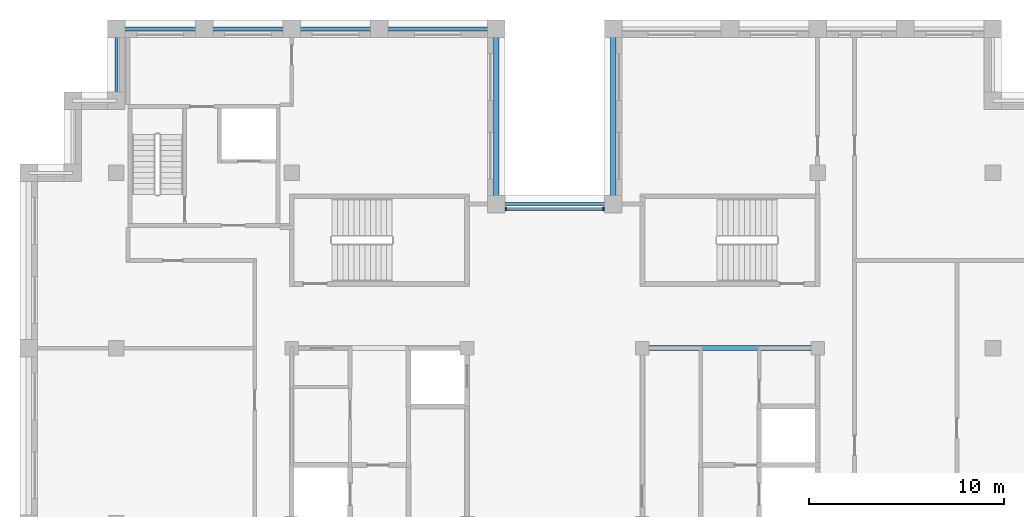
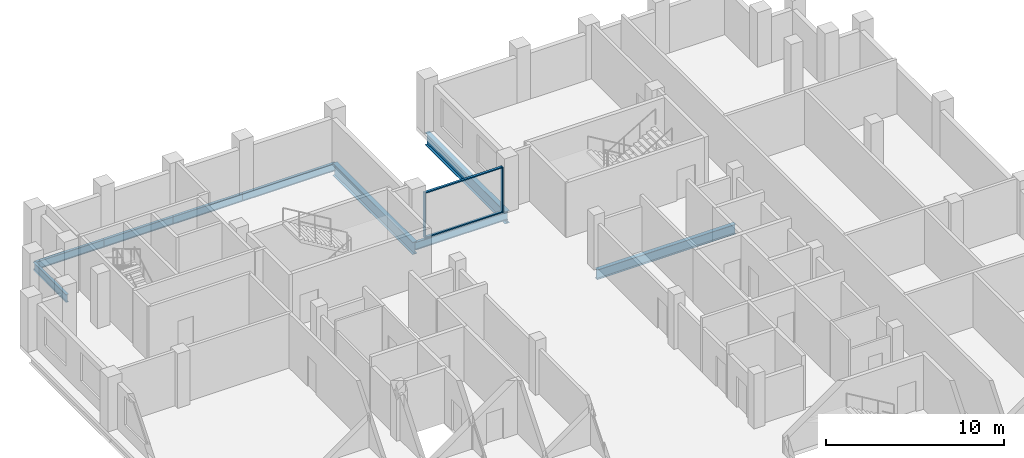
# One storey, part 4 of 13: 9 beams, 4 members, 1 element without a shape of its own.
"""IFC4 building model written with IfcOpenShell, lengths in metres."""

from ifc_helpers import new_model, si_unit, direction, frame, origin, origin_2d, place, context, subcontext, project, spatial, rectangle, i_section, extrude, material, layer, layer_set, material_profile, profile_set, type_object, element, aggregate, save


model = new_model("IFC4")

# Units and contexts
model_context = context("Model", 3, precision=1e-05, world=origin(), true_north=direction((0.0, 1.0)))
body_context = subcontext(model_context, "Body", "Model", "MODEL_VIEW")
ifc_project = project(units=[si_unit("LENGTHUNIT", "METRE"), si_unit("AREAUNIT", "SQUARE_METRE"), si_unit("VOLUMEUNIT", "CUBIC_METRE"), si_unit("PLANEANGLEUNIT", "RADIAN"), si_unit("MASSUNIT", "GRAM", prefix="KILO")], contexts=[model_context])

# Site, building, storey
site_placement = place(None, origin())
site = spatial("IfcSite", under=ifc_project, at=site_placement, CompositionType="ELEMENT")
building_placement = place(site_placement, origin())
building = spatial("IfcBuilding", under=site, at=building_placement, Name="Corbelhall Arena Tower", CompositionType="ELEMENT")
storey_placement = place(building_placement, frame((0.0, 0.0, 330.0)))
storey = spatial("IfcBuildingStorey", under=building, at=storey_placement, Name="L72", CompositionType="ELEMENT", Elevation=330.0)

# Curtain wall, members
ifc_material_1 = material(Name="Aluminium black anodised", Category="aluminium")
ifc_layer = layer(ifc_material_1, 0.199951171875)
ifc_layer_set = layer_set([ifc_layer], Name="EV-CW1 Slot back wall")
curtain_wall_type = type_object("IfcCurtainWallType", Name="EV-CW1 Slot back wall", PredefinedType="NOTDEFINED", material=ifc_layer_set)
curtain_wall_placement = place(storey_placement, origin())
curtain_wall = element("IfcCurtainWall", 1, at=curtain_wall_placement, inside=storey, type_object=curtain_wall_type, Name="Curtain wall CW1", PredefinedType="NOTDEFINED")
ifc_material_profile_1 = material_profile(ifc_material_1, rectangle(XDim=0.199951171875, YDim=0.074951171875, at=origin_2d()))
ifc_profile_set_1 = profile_set([ifc_material_profile_1], Name="Aluminium black anodised")
member_type_1 = type_object("IfcMemberType", Name="EV-CW1-MULLION", PredefinedType="MULLION", material=ifc_profile_set_1)
member_1_placement = place(storey_placement, frame((2.512451171875, 16.14990234375, 0.0), z_axis=(0.0, 0.0, 1.0), x_axis=(0.0, -1.0, 0.0)))
member_1 = element("IfcMember", 2, at=member_1_placement, type_object=member_type_1, Name="CW1 mullion 1", PredefinedType="MULLION", context=body_context, shape_type="SweptSolid", body=[
    extrude(rectangle(XDim=0.199951171875, YDim=0.074951171875, at=origin_2d()), origin(), (0.0, 0.0, 1.0), 3.139892578125),
])
member_2_placement = place(storey_placement, frame((-2.512451171875, 16.14990234375, 0.0), z_axis=(0.0, 0.0, 1.0), x_axis=(0.0, -1.0, 0.0)))
member_2 = element("IfcMember", 3, at=member_2_placement, type_object=member_type_1, Name="CW1 mullion 2", PredefinedType="MULLION", context=body_context, shape_type="SweptSolid", body=[
    extrude(rectangle(XDim=0.199951171875, YDim=0.074951171875, at=origin_2d()), origin(), (0.0, 0.0, 1.0), 3.139892578125),
])
ifc_material_profile_2 = material_profile(ifc_material_1, rectangle(XDim=0.14990234375, YDim=0.074951171875, at=origin_2d()))
ifc_profile_set_2 = profile_set([ifc_material_profile_2], Name="Aluminium black anodised")
member_type_2 = type_object("IfcMemberType", Name="EV-CW1-TRANSOM", PredefinedType="USERDEFINED", material=ifc_profile_set_2)
member_3_placement = place(storey_placement, frame((2.47509765625, 16.14990234375, 0.03759765625), z_axis=(-1.0, 0.0, 0.0), x_axis=(0.0, -1.0, 0.0)))
member_3 = element("IfcMember", 4, at=member_3_placement, type_object=member_type_2, Name="CW1 transom 1.1", ObjectType="transom", PredefinedType="USERDEFINED", context=body_context, shape_type="SweptSolid", body=[
    extrude(rectangle(XDim=0.14990234375, YDim=0.074951171875, at=origin_2d()), origin(), (0.0, 0.0, 1.0), 4.9501953125),
])
member_4_placement = place(storey_placement, frame((2.47509765625, 16.14990234375, 3.1025390625), z_axis=(-1.0, 0.0, 0.0), x_axis=(0.0, -1.0, 0.0)))
member_4 = element("IfcMember", 5, at=member_4_placement, type_object=member_type_2, Name="CW1 transom 1.2", ObjectType="transom", PredefinedType="USERDEFINED", context=body_context, shape_type="SweptSolid", body=[
    extrude(rectangle(XDim=0.14990234375, YDim=0.074951171875, at=origin_2d()), origin(), (0.0, 0.0, 1.0), 4.9501953125),
])
aggregate(curtain_wall, [member_1, member_2, member_3, member_4])

# Beams
ifc_material_2 = material(Name="Steel ASTM A992 Gr50", Category="steel")
ifc_material_profile_3 = material_profile(ifc_material_2, i_section(OverallWidth=0.25390625, OverallDepth=0.67822265625, WebThickness=0.01171875, FlangeThickness=0.016357421875, at=origin_2d()))
ifc_profile_set_3 = profile_set([ifc_material_profile_3], Name="Steel ASTM A992 Gr50")
beam_type_1 = type_object("IfcBeamType", Name="ST-BEAM-W27x84", PredefinedType="BEAM", material=ifc_profile_set_3)
beam_1_placement = place(storey_placement, frame((4.5, 9.0, -0.59912109375), z_axis=(1.0, 0.0, 0.0), x_axis=(0.0, 1.0, 0.0)))
element("IfcBeam", 6, at=beam_1_placement, inside=storey, type_object=beam_type_1, Name="Beam CEE 12", PredefinedType="BEAM", context=body_context, shape_type="SweptSolid", body=[
    extrude(i_section(OverallWidth=0.25390625, OverallDepth=0.67822265625, WebThickness=0.01171875, FlangeThickness=0.016357421875, at=origin_2d()), origin(), (0.0, 0.0, 1.0), 9.0),
])
ifc_material_profile_4 = material_profile(ifc_material_2, i_section(OverallWidth=0.16650390625, OverallDepth=0.535888671875, WebThickness=0.01025390625, FlangeThickness=0.0166015625, at=origin_2d()))
ifc_profile_set_4 = profile_set([ifc_material_profile_4], Name="Steel ASTM A992 Gr50")
beam_type_2 = type_object("IfcBeamType", Name="ST-SPANDREL-W21x57", PredefinedType="SPANDREL", material=ifc_profile_set_4)
beam_2_placement = place(storey_placement, frame((-9.0, 25.39990234375, -0.528076171875), z_axis=(1.0, 0.0, 0.0), x_axis=(0.0, 1.0, 0.0)))
element("IfcBeam", 7, at=beam_2_placement, inside=storey, type_object=beam_type_2, Name="Beam SP 12", PredefinedType="SPANDREL", context=body_context, shape_type="SweptSolid", body=[
    extrude(i_section(OverallWidth=0.16650390625, OverallDepth=0.535888671875, WebThickness=0.01025390625, FlangeThickness=0.0166015625, at=origin_2d()), origin(), (0.0, 0.0, 1.0), 6.0),
])
for number, where, z_axis, x_axis, name in (
    (8, (-13.5, 25.39990234375, -0.528076171875), (1.0, 0.0, 0.0), (0.0, 1.0, 0.0), "Beam SP 13"),
    (9, (-18.0, 25.39990234375, -0.528076171875), (1.0, 0.0, 0.0), (0.0, 1.0, 0.0), "Beam SP 14"),
    (10, (-22.5, 25.39990234375, -0.528076171875), (1.0, 0.0, 0.0), (0.0, 1.0, 0.0), "Beam SP 15"),
):
    element("IfcBeam", number, at=place(storey_placement, frame(where, z_axis=z_axis, x_axis=x_axis)), inside=storey, type_object=beam_type_2, Name=name, PredefinedType="SPANDREL", context=body_context, shape_type="SweptSolid", body=[
        extrude(i_section(OverallWidth=0.16650390625, OverallDepth=0.535888671875, WebThickness=0.01025390625, FlangeThickness=0.0166015625, at=origin_2d()), origin(), (0.0, 0.0, 1.0), 4.5),
    ])
beam_3_placement = place(storey_placement, frame((-3.0, 16.39990234375, -0.528076171875), z_axis=(1.0, 0.0, 0.0), x_axis=(0.0, 1.0, 0.0)))
element("IfcBeam", 11, at=beam_3_placement, inside=storey, type_object=beam_type_2, Name="Beam SP 32", PredefinedType="SPANDREL", context=body_context, shape_type="SweptSolid", body=[
    extrude(i_section(OverallWidth=0.16650390625, OverallDepth=0.535888671875, WebThickness=0.01025390625, FlangeThickness=0.0166015625, at=origin_2d()), origin(), (0.0, 0.0, 1.0), 6.0),
])
beam_4_placement = place(storey_placement, frame((-22.5, 21.699951171875, -0.528076171875), z_axis=(0.0, 1.0, 0.0), x_axis=(-1.0, 0.0, 0.0)))
element("IfcBeam", 12, at=beam_4_placement, inside=storey, type_object=beam_type_2, Name="Beam SP 38", PredefinedType="SPANDREL", context=body_context, shape_type="SweptSolid", body=[
    extrude(i_section(OverallWidth=0.16650390625, OverallDepth=0.535888671875, WebThickness=0.01025390625, FlangeThickness=0.0166015625, at=origin_2d()), origin(), (0.0, 0.0, 1.0), 3.699951171875),
])
ifc_material_profile_5 = material_profile(ifc_material_2, i_section(OverallWidth=0.2919921875, OverallDepth=0.845703125, WebThickness=0.015380859375, FlangeThickness=0.0244140625, at=origin_2d()))
ifc_profile_set_5 = profile_set([ifc_material_profile_5], Name="Steel ASTM A992 Gr50")
beam_type_3 = type_object("IfcBeamType", Name="ST-SPANDREL-W33x141", PredefinedType="SPANDREL", material=ifc_profile_set_5)
for number, where, z_axis, x_axis, name in (
    (13, (-3.0, 25.39990234375, -0.682861328125), (0.0, -1.0, 0.0), (1.0, 0.0, 0.0), "Beam SP 11"),
    (14, (3.0, 16.39990234375, -0.682861328125), (0.0, 1.0, 0.0), (-1.0, 0.0, 0.0), "Beam SP 31"),
):
    element("IfcBeam", number, at=place(storey_placement, frame(where, z_axis=z_axis, x_axis=x_axis)), inside=storey, type_object=beam_type_3, Name=name, PredefinedType="SPANDREL", context=body_context, shape_type="SweptSolid", body=[
        extrude(i_section(OverallWidth=0.2919921875, OverallDepth=0.845703125, WebThickness=0.015380859375, FlangeThickness=0.0244140625, at=origin_2d()), origin(), (0.0, 0.0, 1.0), 9.0),
    ])

save(model, "model.ifc")
